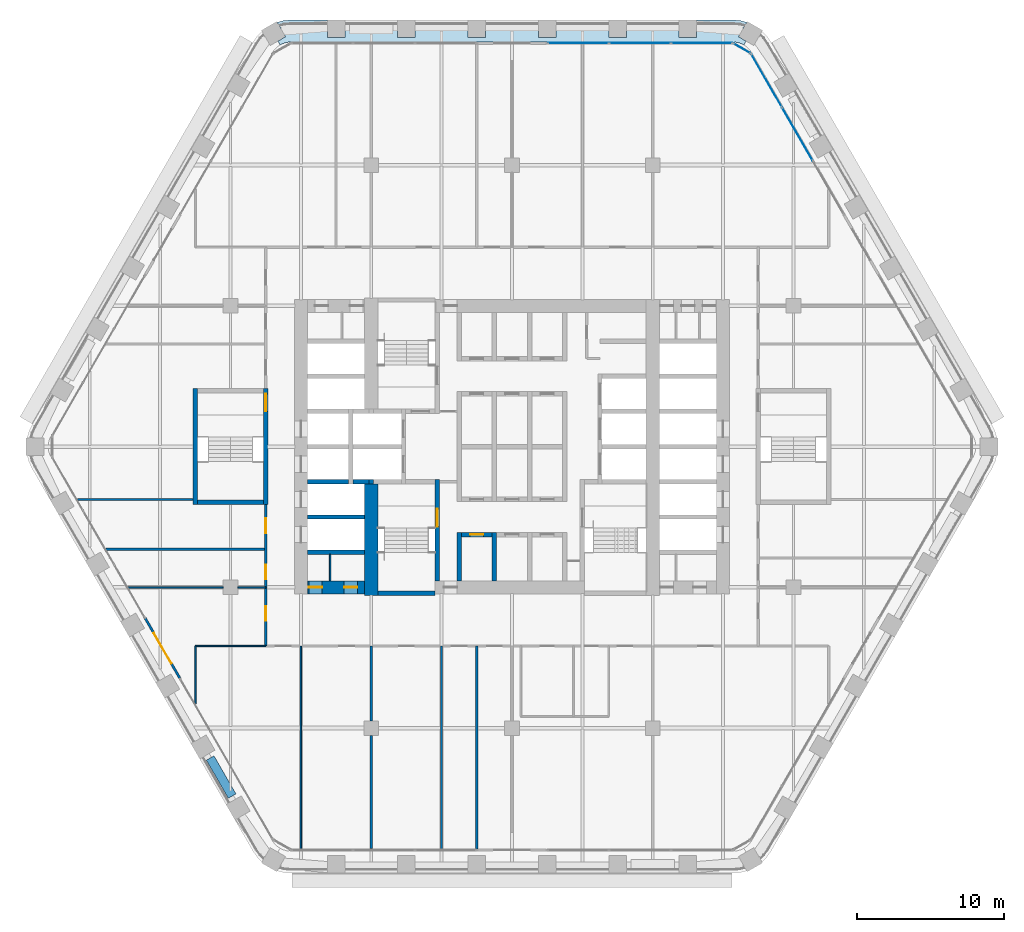
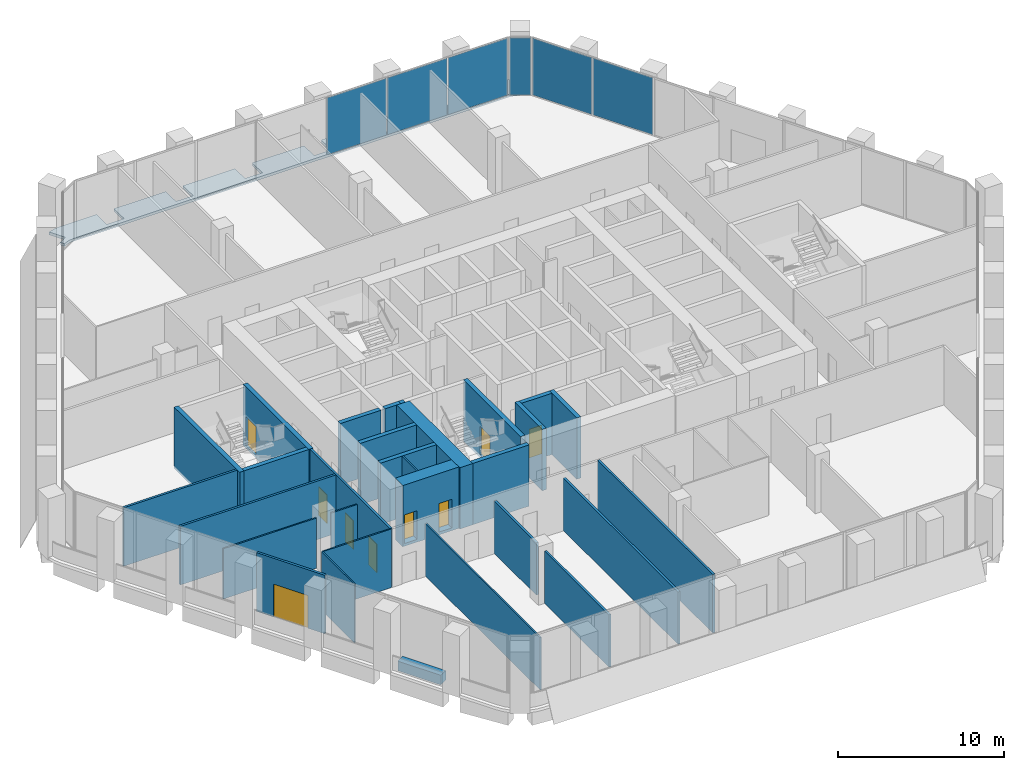
# One storey, part 12 of 23: 30 walls, 9 doors, 6 plates, 1 slab, 9 openings, 3 elements without a shape of their own.
"""IFC4 building model written with IfcOpenShell, lengths in metres."""

from ifc_helpers import new_model, si_unit, direction, frame, frame_2d, origin, origin_2d, place, context, subcontext, project, spatial, polyline, rectangle, outline, extrude, material, layer, layer_set, type_object, element, fill, aggregate, save


model = new_model("IFC4")

# Units and contexts
model_context = context("Model", 3, precision=1e-05, world=origin(), true_north=direction((0.0, 1.0)))
body_context = subcontext(model_context, "Body", "Model", "MODEL_VIEW")
ifc_project = project(units=[si_unit("LENGTHUNIT", "METRE"), si_unit("AREAUNIT", "SQUARE_METRE"), si_unit("VOLUMEUNIT", "CUBIC_METRE"), si_unit("PLANEANGLEUNIT", "RADIAN"), si_unit("MASSUNIT", "GRAM", prefix="KILO")], contexts=[model_context])

# Site, building, storey
site_placement = place(None, origin())
site = spatial("IfcSite", under=ifc_project, at=site_placement, CompositionType="ELEMENT")
building_placement = place(site_placement, origin())
building = spatial("IfcBuilding", under=site, at=building_placement, Name="Kolab Exchange Tower", CompositionType="ELEMENT")
storey_placement = place(building_placement, frame((0.0, 0.0, 100.39990234375)))
storey = spatial("IfcBuildingStorey", under=building, at=storey_placement, Name="L19", CompositionType="ELEMENT", Elevation=100.39990234375)

# Slab
ifc_material_1 = material(Name="Concrete C35/45", Category="concrete")
ifc_layer_1 = layer(ifc_material_1, 0.199951171875)
ifc_layer_set_1 = layer_set([ifc_layer_1], Name="Concrete C35/45")
slab_type = type_object("IfcSlabType", Name="LOGGIA SLAB 200", PredefinedType="FLOOR", material=ifc_layer_set_1)
slab_placement = place(storey_placement, frame((0.0, 0.0, -0.199951171875)))
element("IfcSlab", 1, at=slab_placement, inside=storey, type_object=slab_type, Name="slab/L19/loggia/0-0", PredefinedType="FLOOR", context=body_context, shape_type="SweptSolid", body=[
    extrude(outline(polyline([(15.81787109375, 27.3974609375), (15.968017578125, 27.6572265625), (15.4482421875, 27.957275390625), (16.014892578125, 28.938720703125), (15.5888671875, 29.052978515625), (15.06787109375, 29.098388671875), (12.60009765625, 29.098388671875), (12.60009765625, 27.8984375), (11.39990234375, 27.8984375), (11.39990234375, 29.098388671875), (7.800048828125, 29.098388671875), (7.800048828125, 27.8984375), (6.60009765625, 27.8984375), (6.60009765625, 29.098388671875), (3.0, 29.098388671875), (3.0, 27.8984375), (1.800048828125, 27.8984375), (1.800048828125, 29.098388671875), (-1.800048828125, 29.098388671875), (-1.800048828125, 27.8984375), (-3.0, 27.8984375), (-3.0, 29.098388671875), (-6.60009765625, 29.098388671875), (-6.60009765625, 27.8984375), (-7.800048828125, 27.8984375), (-7.800048828125, 29.098388671875), (-11.39990234375, 29.098388671875), (-11.39990234375, 27.8984375), (-12.60009765625, 27.8984375), (-12.60009765625, 29.098388671875), (-15.06787109375, 29.098388671875), (-15.5888671875, 29.052978515625), (-16.014892578125, 28.938720703125), (-15.4482421875, 27.957275390625), (-15.968017578125, 27.6572265625), (-15.81787109375, 27.3974609375), (-15.5810546875, 27.508056640625), (-15.328369140625, 27.57568359375), (-15.06787109375, 27.598388671875), (15.06787109375, 27.598388671875), (15.328369140625, 27.57568359375), (15.5810546875, 27.508056640625), (15.81787109375, 27.3974609375)])), origin(), (0.0, 0.0, 1.0), 0.199951171875),
])

# Curtain wall, plates
ifc_material_2 = material(Name="Aluminium EN AW-6063 T6", Category="aluminium")
curtain_wall_type = type_object("IfcCurtainWallType", Name="UNITISED LOWER MID ZONE CURTAIN WALL", PredefinedType="NOTDEFINED", material=ifc_material_2)
curtain_wall_1_placement = place(storey_placement, origin())
curtain_wall_1 = element("IfcCurtainWall", 2, at=curtain_wall_1_placement, inside=storey, type_object=curtain_wall_type, Name="cw/L19/F1-2", PredefinedType="NOTDEFINED")
ifc_material_3 = material(Name="Clear insulated glazing unit", Category="glass")
ifc_layer_2 = layer(ifc_material_3, 0.02587890625)
ifc_layer_set_2 = layer_set([ifc_layer_2], Name="Clear insulated glazing unit")
plate_type = type_object("IfcPlateType", Name="UNITISED LOWER MID ZONE GLASS PANEL 26", PredefinedType="CURTAIN_PANEL", material=ifc_layer_set_2)
plate_1_placement = place(storey_placement, frame((4.5263671875, 27.5185546875, 0.06005859375), z_axis=(0.0, 0.0, 1.0), x_axis=(1.0, 0.0, 0.0)))
plate_1 = element("IfcPlate", 3, at=plate_1_placement, type_object=plate_type, Name="CW2 panel 1.1", PredefinedType="CURTAIN_PANEL", context=body_context, shape_type="SweptSolid", body=[
    extrude(rectangle(XDim=4.132568359375, YDim=0.02587890625, at=origin_2d()), origin(), (0.0, 0.0, 1.0), 4.179931640625),
])
plate_2_placement = place(storey_placement, frame((8.73388671875, 27.5185546875, 0.06005859375), z_axis=(0.0, 0.0, 1.0), x_axis=(1.0, 0.0, 0.0)))
plate_2 = element("IfcPlate", 4, at=plate_2_placement, type_object=plate_type, Name="CW2 panel 2.1", PredefinedType="CURTAIN_PANEL", context=body_context, shape_type="SweptSolid", body=[
    extrude(rectangle(XDim=4.16259765625, YDim=0.02587890625, at=origin_2d()), origin(), (0.0, 0.0, 1.0), 4.179931640625),
])
plate_3_placement = place(storey_placement, frame((12.941650390625, 27.5185546875, 0.06005859375), z_axis=(0.0, 0.0, 1.0), x_axis=(1.0, 0.0, 0.0)))
plate_3 = element("IfcPlate", 5, at=plate_3_placement, type_object=plate_type, Name="CW2 panel 3.1", PredefinedType="CURTAIN_PANEL", context=body_context, shape_type="SweptSolid", body=[
    extrude(rectangle(XDim=4.132568359375, YDim=0.02587890625, at=origin_2d()), origin(), (0.0, 0.0, 1.0), 4.179931640625),
])
aggregate(curtain_wall_1, [plate_1, plate_2, plate_3])

curtain_wall_2_placement = place(storey_placement, origin())
curtain_wall_2 = element("IfcCurtainWall", 6, at=curtain_wall_2_placement, inside=storey, type_object=curtain_wall_type, Name="cw/L19/F2-1", PredefinedType="NOTDEFINED")
plate_4_placement = place(storey_placement, frame((17.36083984375, 24.967041015625, 0.06005859375), z_axis=(0.0, 0.0, 1.0), x_axis=(0.500000017564, -0.866025393644, 0.0)))
plate_4 = element("IfcPlate", 7, at=plate_4_placement, type_object=plate_type, Name="CW2 panel 1.1", PredefinedType="CURTAIN_PANEL", context=body_context, shape_type="SweptSolid", body=[
    extrude(rectangle(XDim=4.132568359375, YDim=0.02587890625, at=origin_2d()), origin(), (0.0, 0.0, 1.0), 4.179931640625),
])
plate_5_placement = place(storey_placement, frame((19.464599609375, 21.322998046875, 0.06005859375), z_axis=(0.0, 0.0, 1.0), x_axis=(0.500000017564, -0.866025393644, 0.0)))
plate_5 = element("IfcPlate", 8, at=plate_5_placement, type_object=plate_type, Name="CW2 panel 2.1", PredefinedType="CURTAIN_PANEL", context=body_context, shape_type="SweptSolid", body=[
    extrude(rectangle(XDim=4.16259765625, YDim=0.02587890625, at=origin_2d()), origin(), (0.0, 0.0, 1.0), 4.179931640625),
])
aggregate(curtain_wall_2, [plate_4, plate_5])

# Curtain wall, plate
curtain_wall_3_placement = place(storey_placement, origin())
curtain_wall_3 = element("IfcCurtainWall", 9, at=curtain_wall_3_placement, inside=storey, type_object=curtain_wall_type, Name="cw/L19/F1F2-corner", PredefinedType="NOTDEFINED")
plate_6_placement = place(storey_placement, frame((15.682861328125, 27.16357421875, 0.06005859375), z_axis=(0.0, 0.0, 1.0), x_axis=(0.866025390869, -0.50000002237, 0.0)))
plate_6 = element("IfcPlate", 10, at=plate_6_placement, type_object=plate_type, Name="CW2 panel 1.1", PredefinedType="CURTAIN_PANEL", context=body_context, shape_type="SweptSolid", body=[
    extrude(rectangle(XDim=1.300048828125, YDim=0.02587890625, at=origin_2d()), origin(), (0.0, 0.0, 1.0), 4.179931640625),
])
aggregate(curtain_wall_3, [plate_6])

# Wall, openings, doors
ifc_material_4 = material(Name="Concrete C70/85", Category="concrete")
ifc_layer_3 = layer(ifc_material_4, 0.89990234375)
ifc_layer_set_3 = layer_set([ifc_layer_3], Name="Concrete C70/85")
wall_type_1 = type_object("IfcWallType", Name="CORE WALL 900 C70/85", PredefinedType="SHEAR", material=ifc_layer_set_3)
wall_1_placement = place(storey_placement, frame((-13.949951171875, -9.60009765625, -0.199951171875), z_axis=(0.0, 0.0, 1.0), x_axis=(1.0, 0.0, 0.0)))
wall_1 = element("IfcWall", 11, at=wall_1_placement, inside=storey, type_object=wall_type_1, Name="wall/L19/core/002", PredefinedType="SHEAR", context=body_context, shape_type="SweptSolid", body=[
    extrude(rectangle(XDim=3.89990234375, YDim=0.89990234375, at=frame_2d((1.949951171875, 0.0))), origin(), (0.0, 0.0, 1.0), 4.5),
])
opening_1_placement = place(wall_1_placement, frame((0.10009765625, 0.0, 0.199951171875)))
opening_1 = element("IfcOpeningElement", 12, at=opening_1_placement, cuts=wall_1, Name="Opening D6-228", PredefinedType="OPENING", context=body_context, shape_type="SweptSolid", body=[
    extrude(rectangle(XDim=0.89990234375, YDim=2.10009765625, at=frame_2d((0.449951171875, 1.050048828125))), frame((0.0, 0.4599609375, 0.0), z_axis=(0.0, -1.0, 0.0), x_axis=(1.0, 0.0, 0.0)), (0.0, 0.0, 1.0), 0.919921875),
])
opening_2_placement = place(wall_1_placement, frame((2.5, 0.0, 0.199951171875)))
opening_2 = element("IfcOpeningElement", 13, at=opening_2_placement, cuts=wall_1, Name="Opening D6-229", PredefinedType="OPENING", context=body_context, shape_type="SweptSolid", body=[
    extrude(rectangle(XDim=0.89990234375, YDim=2.10009765625, at=frame_2d((0.449951171875, 1.050048828125))), frame((0.0, 0.4599609375, 0.0), z_axis=(0.0, -1.0, 0.0), x_axis=(1.0, 0.0, 0.0)), (0.0, 0.0, 1.0), 0.919921875),
])
ifc_material_5 = material(Name="Steel S235", Category="steel")
door_type_1 = type_object("IfcDoorType", Name="CORE DOOR 900 EI 120", OperationType="SINGLE_SWING_LEFT", PredefinedType="DOOR", material=ifc_material_5)
door_1_placement = place(opening_1_placement, origin())
door_1 = element("IfcDoor", 14, at=door_1_placement, inside=storey, type_object=door_type_1, Name="Service room door", OperationType="SINGLE_SWING_RIGHT", OverallHeight=2.10009765625, OverallWidth=0.89990234375, PredefinedType="DOOR", context=body_context, shape_type="SweptSolid", body=[
    extrude(rectangle(XDim=0.89990234375, YDim=2.10009765625, at=frame_2d((0.449951171875, 1.050048828125))), frame((0.0, 0.02490234375, 0.0), z_axis=(0.0, -1.0, 0.0), x_axis=(1.0, 0.0, 0.0)), (0.0, 0.0, 1.0), 0.050048828125),
])
fill(opening_1, door_1)
door_2_placement = place(opening_2_placement, origin())
door_2 = element("IfcDoor", 15, at=door_2_placement, inside=storey, type_object=door_type_1, Name="Service room door", OperationType="SINGLE_SWING_LEFT", OverallHeight=2.10009765625, OverallWidth=0.89990234375, PredefinedType="DOOR", context=body_context, shape_type="SweptSolid", body=[
    extrude(rectangle(XDim=0.89990234375, YDim=2.10009765625, at=frame_2d((0.449951171875, 1.050048828125))), frame((0.0, 0.02490234375, 0.0), z_axis=(0.0, -1.0, 0.0), x_axis=(1.0, 0.0, 0.0)), (0.0, 0.0, 1.0), 0.050048828125),
])
fill(opening_2, door_2)

# Wall
wall_2_placement = place(storey_placement, frame((-9.60009765625, -10.14990234375, -0.199951171875), z_axis=(0.0, 0.0, 1.0), x_axis=(0.0, 1.0, 0.0)))
element("IfcWall", 16, at=wall_2_placement, inside=storey, type_object=wall_type_1, Name="wall/L19/core/059", PredefinedType="SHEAR", context=body_context, shape_type="SweptSolid", body=[
    extrude(rectangle(XDim=7.599853515625, YDim=0.89990234375, at=frame_2d((3.7998046875, 0.0))), origin(), (0.0, 0.0, 1.0), 4.5),
])

# Wall, opening, door
ifc_layer_4 = layer(ifc_material_2, 0.159912109375)
ifc_layer_set_4 = layer_set([ifc_layer_4], Name="Aluminium EN AW-6063 T6")
wall_type_2 = type_object("IfcWallType", Name="DOOR SURROUND WALL 160 ALUMINIUM FRAMED", PredefinedType="PARTITIONING", material=ifc_layer_set_4)
wall_3_placement = place(storey_placement, frame((-22.646728515625, -15.811767578125, 0.0), z_axis=(0.0, 0.0, 1.0), x_axis=(-0.499978080042, 0.866038058908, 0.0)))
wall_3 = element("IfcWall", 17, at=wall_3_placement, inside=storey, type_object=wall_type_2, Name="Door surround wall", PredefinedType="PARTITIONING", context=body_context, shape_type="SweptSolid", body=[
    extrude(rectangle(XDim=4.739990234375, YDim=0.159912109375, at=frame_2d((2.3701171875, 0.0))), origin(), (0.0, 0.0, 1.0), 4.300048828125),
])
opening_3_placement = place(wall_3_placement, frame((1.169921875, 0.0, 0.0)))
opening_3 = element("IfcOpeningElement", 18, at=opening_3_placement, cuts=wall_3, Name="Opening GD1-038", PredefinedType="OPENING", context=body_context, shape_type="SweptSolid", body=[
    extrude(rectangle(XDim=2.39990234375, YDim=2.39990234375, at=frame_2d((1.199951171875, 1.199951171875))), frame((0.0, 0.08984375, 0.0), z_axis=(0.0, -1.0, 0.0), x_axis=(1.0, 0.0, 0.0)), (0.0, 0.0, 1.0), 0.179931640625),
])
door_type_2 = type_object("IfcDoorType", Name="LOGGIA SLIDING GLASS DOOR 2400 X 2400", OperationType="DOUBLE_DOOR_SINGLE_SWING", PredefinedType="DOOR", material=ifc_material_2)
door_3_placement = place(opening_3_placement, origin())
door_3 = element("IfcDoor", 19, at=door_3_placement, inside=storey, type_object=door_type_2, Name="Loggia door", OperationType="DOUBLE_DOOR_SLIDING", OverallHeight=2.39990234375, OverallWidth=2.39990234375, PredefinedType="DOOR", context=body_context, shape_type="SweptSolid", body=[
    extrude(rectangle(XDim=2.39990234375, YDim=2.39990234375, at=frame_2d((1.199951171875, 1.199951171875))), frame((0.0, 0.02490234375, 0.0), z_axis=(0.0, -1.0, 0.0), x_axis=(1.0, 0.0, 0.0)), (0.0, 0.0, 1.0), 0.050048828125),
])
fill(opening_3, door_3)

# Wall
ifc_material_6 = material(Name="Concrete C50/60", Category="concrete")
ifc_layer_5 = layer(ifc_material_6, 0.300048828125)
ifc_layer_set_5 = layer_set([ifc_layer_5], Name="Concrete C50/60")
wall_type_3 = type_object("IfcWallType", Name="LIFT SHAFT WALL 300 C50/60", PredefinedType="STANDARD", material=ifc_layer_set_5)
wall_4_placement = place(storey_placement, frame((-13.949951171875, -7.199951171875, -0.199951171875), z_axis=(0.0, 0.0, 1.0), x_axis=(1.0, 0.0, 0.0)))
element("IfcWall", 20, at=wall_4_placement, inside=storey, type_object=wall_type_3, Name="wall/L19/core/005", PredefinedType="STANDARD", context=body_context, shape_type="SweptSolid", body=[
    extrude(rectangle(XDim=3.89990234375, YDim=0.300048828125, at=frame_2d((1.949951171875, 0.0))), origin(), (0.0, 0.0, 1.0), 4.5),
])

# Wall, opening, door
wall_5_placement = place(storey_placement, frame((-3.449951171875, -6.0, -0.199951171875), z_axis=(0.0, 0.0, 1.0), x_axis=(1.0, 0.0, 0.0)))
wall_5 = element("IfcWall", 21, at=wall_5_placement, inside=storey, type_object=wall_type_3, Name="wall/L19/core/007", PredefinedType="STANDARD", context=body_context, shape_type="SweptSolid", body=[
    extrude(rectangle(XDim=2.099853515625, YDim=0.300048828125, at=frame_2d((1.0498046875, 0.0))), origin(), (0.0, 0.0, 1.0), 4.5),
])
opening_4_placement = place(wall_5_placement, frame((0.60009765625, 0.0, 0.199951171875)))
opening_4 = element("IfcOpeningElement", 22, at=opening_4_placement, cuts=wall_5, Name="Opening D6-202", PredefinedType="OPENING", context=body_context, shape_type="SweptSolid", body=[
    extrude(rectangle(XDim=0.89990234375, YDim=2.10009765625, at=frame_2d((0.449951171875, 1.050048828125))), frame((0.0, 0.16015625, 0.0), z_axis=(0.0, -1.0, 0.0), x_axis=(1.0, 0.0, 0.0)), (0.0, 0.0, 1.0), 0.320068359375),
])
door_4_placement = place(opening_4_placement, frame((0.89990234375, 0.0, 0.0), z_axis=(0.0, 0.0, 1.0), x_axis=(-1.0, 0.0, 0.0)))
door_4 = element("IfcDoor", 23, at=door_4_placement, inside=storey, type_object=door_type_1, Name="Service room door", OperationType="SINGLE_SWING_LEFT", OverallHeight=2.10009765625, OverallWidth=0.89990234375, PredefinedType="DOOR", context=body_context, shape_type="SweptSolid", body=[
    extrude(rectangle(XDim=0.89990234375, YDim=2.10009765625, at=frame_2d((0.449951171875, 1.050048828125))), frame((0.0, 0.02490234375, 0.0), z_axis=(0.0, -1.0, 0.0), x_axis=(1.0, 0.0, 0.0)), (0.0, 0.0, 1.0), 0.050048828125),
])
fill(opening_4, door_4)

# Walls
wall_6_placement = place(storey_placement, frame((-13.949951171875, -4.800048828125, -0.199951171875), z_axis=(0.0, 0.0, 1.0), x_axis=(1.0, 0.0, 0.0)))
element("IfcWall", 24, at=wall_6_placement, inside=storey, type_object=wall_type_3, Name="wall/L19/core/010", PredefinedType="STANDARD", context=body_context, shape_type="SweptSolid", body=[
    extrude(rectangle(XDim=3.89990234375, YDim=0.300048828125, at=frame_2d((1.949951171875, 0.0))), origin(), (0.0, 0.0, 1.0), 4.5),
])
wall_7_placement = place(storey_placement, frame((-13.949951171875, -2.39990234375, -0.199951171875), z_axis=(0.0, 0.0, 1.0), x_axis=(1.0, 0.0, 0.0)))
element("IfcWall", 25, at=wall_7_placement, inside=storey, type_object=wall_type_3, Name="wall/L19/core/017", PredefinedType="STANDARD", context=body_context, shape_type="SweptSolid", body=[
    extrude(rectangle(XDim=2.800048828125, YDim=0.300048828125, at=frame_2d((1.39990234375, 0.0))), origin(), (0.0, 0.0, 1.0), 4.5),
])
wall_8_placement = place(storey_placement, frame((-10.85009765625, -2.39990234375, -0.199951171875), z_axis=(0.0, 0.0, 1.0), x_axis=(1.0, 0.0, 0.0)))
element("IfcWall", 26, at=wall_8_placement, inside=storey, type_object=wall_type_3, Name="wall/L19/core/018", PredefinedType="STANDARD", context=body_context, shape_type="SweptSolid", body=[
    extrude(rectangle(XDim=1.10009765625, YDim=0.300048828125, at=frame_2d((0.550048828125, 0.0))), origin(), (0.0, 0.0, 1.0), 4.5),
])
for number, where, z_axis, x_axis, name in (
    (27, (-3.60009765625, -9.14990234375, -0.199951171875), (0.0, 0.0, 1.0), (0.0, 1.0, 0.0), "wall/L19/core/066"),
    (28, (-1.199951171875, -9.14990234375, -0.199951171875), (0.0, 0.0, 1.0), (0.0, 1.0, 0.0), "wall/L19/core/069"),
):
    element("IfcWall", number, at=place(storey_placement, frame(where, z_axis=z_axis, x_axis=x_axis)), inside=storey, type_object=wall_type_3, Name=name, PredefinedType="STANDARD", context=body_context, shape_type="SweptSolid", body=[
        extrude(rectangle(XDim=3.2998046875, YDim=0.300048828125, at=frame_2d((1.64990234375, 0.0))), origin(), (0.0, 0.0, 1.0), 4.5),
    ])
ifc_material_7 = material(Name="Gypsum board", Category="gypsum")
ifc_layer_6 = layer(ifc_material_7, 0.10009765625)
ifc_layer_set_6 = layer_set([ifc_layer_6], Name="Gypsum board")
wall_type_4 = type_object("IfcWallType", Name="PARTITION 100", PredefinedType="PARTITIONING", material=ifc_layer_set_6)
wall_9_placement = place(storey_placement, frame((-12.39990234375, -9.14990234375, 0.0), z_axis=(0.0, 0.0, 1.0), x_axis=(0.0, 1.0, 0.0)))
element("IfcWall", 29, at=wall_9_placement, inside=storey, type_object=wall_type_4, Name="Partition 029", PredefinedType="PARTITIONING", context=body_context, shape_type="SweptSolid", body=[
    extrude(rectangle(XDim=1.7998046875, YDim=0.10009765625, at=frame_2d((0.89990234375, 0.0))), origin(), (0.0, 0.0, 1.0), 4.300048828125),
])
wall_10_placement = place(storey_placement, frame((-14.39990234375, -27.428466796875, 0.0), z_axis=(0.0, 0.0, 1.0), x_axis=(0.0, 1.0, 0.0)))
element("IfcWall", 30, at=wall_10_placement, inside=storey, type_object=wall_type_4, Name="Partition 030", PredefinedType="PARTITIONING", context=body_context, shape_type="SweptSolid", body=[
    extrude(rectangle(XDim=13.828369140625, YDim=0.10009765625, at=frame_2d((6.9140625, 0.0))), origin(), (0.0, 0.0, 1.0), 3.843017578125),
])
wall_11_placement = place(storey_placement, frame((-21.60009765625, -17.544677734375, 0.0), z_axis=(0.0, 0.0, 1.0), x_axis=(0.0, 1.0, 0.0)))
element("IfcWall", 31, at=wall_11_placement, inside=storey, type_object=wall_type_4, Name="Partition 033", PredefinedType="PARTITIONING", context=body_context, shape_type="SweptSolid", body=[
    extrude(rectangle(XDim=3.944580078125, YDim=0.10009765625, at=frame_2d((1.97216796875, 0.0))), origin(), (0.0, 0.0, 1.0), 4.300048828125),
])
wall_12_placement = place(storey_placement, frame((-21.60009765625, -13.60009765625, 0.0), z_axis=(0.0, 0.0, 1.0), x_axis=(1.0, 0.0, 0.0)))
element("IfcWall", 32, at=wall_12_placement, inside=storey, type_object=wall_type_4, Name="Partition 036", PredefinedType="PARTITIONING", context=body_context, shape_type="SweptSolid", body=[
    extrude(rectangle(XDim=4.800048828125, YDim=0.10009765625, at=frame_2d((2.39990234375, 0.0))), origin(), (0.0, 0.0, 1.0), 4.300048828125),
])
wall_13_placement = place(storey_placement, frame((-26.186767578125, -9.60009765625, 0.0), z_axis=(0.0, 0.0, 1.0), x_axis=(1.0, 0.0, 0.0)))
element("IfcWall", 33, at=wall_13_placement, inside=storey, type_object=wall_type_4, Name="Partition 038", PredefinedType="PARTITIONING", context=body_context, shape_type="SweptSolid", body=[
    extrude(rectangle(XDim=6.48681640625, YDim=0.10009765625, at=frame_2d((3.243408203125, 0.0))), origin(), (0.0, 0.0, 1.0), 3.692138671875),
])
wall_14_placement = place(storey_placement, frame((-18.699951171875, -9.60009765625, 0.0), z_axis=(0.0, 0.0, 1.0), x_axis=(1.0, 0.0, 0.0)))
element("IfcWall", 34, at=wall_14_placement, inside=storey, type_object=wall_type_4, Name="Partition 039", PredefinedType="PARTITIONING", context=body_context, shape_type="SweptSolid", body=[
    extrude(rectangle(XDim=1.89990234375, YDim=0.10009765625, at=frame_2d((0.949951171875, 0.0))), origin(), (0.0, 0.0, 1.0), 3.692138671875),
])
ifc_layer_7 = layer(ifc_material_7, 0.14990234375)
ifc_layer_set_7 = layer_set([ifc_layer_7], Name="Gypsum board")
wall_type_5 = type_object("IfcWallType", Name="PARTITION 150 FIRE-RATED", PredefinedType="PARTITIONING", material=ifc_layer_set_7)
wall_15_placement = place(storey_placement, frame((-2.39990234375, -27.4384765625, 0.0), z_axis=(0.0, 0.0, 1.0), x_axis=(0.0, 1.0, 0.0)))
element("IfcWall", 35, at=wall_15_placement, inside=storey, type_object=wall_type_5, Name="Partition 020", PredefinedType="PARTITIONING", context=body_context, shape_type="SweptSolid", body=[
    extrude(rectangle(XDim=13.83837890625, YDim=0.14990234375, at=frame_2d((6.919189453125, 0.0))), origin(), (0.0, 0.0, 1.0), 4.300048828125),
])
wall_16_placement = place(storey_placement, frame((-4.800048828125, -27.428466796875, 0.0), z_axis=(0.0, 0.0, 1.0), x_axis=(0.0, 1.0, 0.0)))
element("IfcWall", 36, at=wall_16_placement, inside=storey, type_object=wall_type_5, Name="Partition 022", PredefinedType="PARTITIONING", context=body_context, shape_type="SweptSolid", body=[
    extrude(rectangle(XDim=13.828369140625, YDim=0.14990234375, at=frame_2d((6.9140625, 0.0))), origin(), (0.0, 0.0, 1.0), 3.843017578125),
])
wall_17_placement = place(storey_placement, frame((-9.60009765625, -27.428466796875, 0.0), z_axis=(0.0, 0.0, 1.0), x_axis=(0.0, 1.0, 0.0)))
element("IfcWall", 37, at=wall_17_placement, inside=storey, type_object=wall_type_5, Name="Partition 023", PredefinedType="PARTITIONING", context=body_context, shape_type="SweptSolid", body=[
    extrude(rectangle(XDim=7.728515625, YDim=0.14990234375, at=frame_2d((3.8642578125, 0.0))), origin(), (0.0, 0.0, 1.0), 3.843017578125),
])
wall_18_placement = place(storey_placement, frame((-9.60009765625, -18.699951171875, 0.0), z_axis=(0.0, 0.0, 1.0), x_axis=(0.0, 1.0, 0.0)))
element("IfcWall", 38, at=wall_18_placement, inside=storey, type_object=wall_type_5, Name="Partition 024", PredefinedType="PARTITIONING", context=body_context, shape_type="SweptSolid", body=[
    extrude(rectangle(XDim=5.099853515625, YDim=0.14990234375, at=frame_2d((2.5498046875, 0.0))), origin(), (0.0, 0.0, 1.0), 3.843017578125),
])

# Wall, openings, doors
wall_19_placement = place(storey_placement, frame((-16.800048828125, -13.60009765625, 0.0), z_axis=(0.0, 0.0, 1.0), x_axis=(0.0, 1.0, 0.0)))
wall_19 = element("IfcWall", 39, at=wall_19_placement, inside=storey, type_object=wall_type_5, Name="Partition 031", PredefinedType="PARTITIONING", context=body_context, shape_type="SweptSolid", body=[
    extrude(rectangle(XDim=9.650146484375, YDim=0.14990234375, at=frame_2d((4.8251953125, 0.0))), origin(), (0.0, 0.0, 1.0), 4.300048828125),
])
opening_5_placement = place(wall_19_placement, frame((1.72509765625, 0.0, 0.0)))
opening_5 = element("IfcOpeningElement", 40, at=opening_5_placement, cuts=wall_19, Name="Opening D1-276", PredefinedType="OPENING", context=body_context, shape_type="SweptSolid", body=[
    extrude(rectangle(XDim=1.0, YDim=2.10009765625, at=frame_2d((0.5, 1.050048828125))), frame((0.0, 0.0849609375, 0.0), z_axis=(0.0, -1.0, 0.0), x_axis=(1.0, 0.0, 0.0)), (0.0, 0.0, 1.0), 0.169921875),
])
opening_6_placement = place(wall_19_placement, frame((4.554931640625, 0.0, 0.0)))
opening_6 = element("IfcOpeningElement", 41, at=opening_6_placement, cuts=wall_19, Name="Opening D1-277", PredefinedType="OPENING", context=body_context, shape_type="SweptSolid", body=[
    extrude(rectangle(XDim=1.0, YDim=2.10009765625, at=frame_2d((0.5, 1.050048828125))), frame((0.0, 0.0849609375, 0.0), z_axis=(0.0, -1.0, 0.0), x_axis=(1.0, 0.0, 0.0)), (0.0, 0.0, 1.0), 0.169921875),
])
opening_7_placement = place(wall_19_placement, frame((7.699951171875, 0.0, 0.0)))
opening_7 = element("IfcOpeningElement", 42, at=opening_7_placement, cuts=wall_19, Name="Opening D1-278", PredefinedType="OPENING", context=body_context, shape_type="SweptSolid", body=[
    extrude(rectangle(XDim=1.0, YDim=2.10009765625, at=frame_2d((0.5, 1.050048828125))), frame((0.0, 0.0849609375, 0.0), z_axis=(0.0, -1.0, 0.0), x_axis=(1.0, 0.0, 0.0)), (0.0, 0.0, 1.0), 0.169921875),
])
door_type_3 = type_object("IfcDoorType", Name="FLUSH DOOR 1000 FD60", OperationType="SINGLE_SWING_LEFT", PredefinedType="DOOR", material=ifc_material_5)
door_5_placement = place(opening_5_placement, origin())
door_5 = element("IfcDoor", 43, at=door_5_placement, inside=storey, type_object=door_type_3, Name="Door L19-070", OperationType="SINGLE_SWING_RIGHT", OverallHeight=2.10009765625, OverallWidth=1.0, PredefinedType="DOOR", context=body_context, shape_type="SweptSolid", body=[
    extrude(rectangle(XDim=1.0, YDim=2.10009765625, at=frame_2d((0.5, 1.050048828125))), frame((0.0, 0.02490234375, 0.0), z_axis=(0.0, -1.0, 0.0), x_axis=(1.0, 0.0, 0.0)), (0.0, 0.0, 1.0), 0.050048828125),
])
fill(opening_5, door_5)
door_6_placement = place(opening_6_placement, origin())
door_6 = element("IfcDoor", 44, at=door_6_placement, inside=storey, type_object=door_type_3, Name="Door L19-071", OperationType="SINGLE_SWING_LEFT", OverallHeight=2.10009765625, OverallWidth=1.0, PredefinedType="DOOR", context=body_context, shape_type="SweptSolid", body=[
    extrude(rectangle(XDim=1.0, YDim=2.10009765625, at=frame_2d((0.5, 1.050048828125))), frame((0.0, 0.02490234375, 0.0), z_axis=(0.0, -1.0, 0.0), x_axis=(1.0, 0.0, 0.0)), (0.0, 0.0, 1.0), 0.050048828125),
])
fill(opening_6, door_6)
door_7_placement = place(opening_7_placement, origin())
door_7 = element("IfcDoor", 45, at=door_7_placement, inside=storey, type_object=door_type_3, Name="Door L19-072", OperationType="SINGLE_SWING_LEFT", OverallHeight=2.10009765625, OverallWidth=1.0, PredefinedType="DOOR", context=body_context, shape_type="SweptSolid", body=[
    extrude(rectangle(XDim=1.0, YDim=2.10009765625, at=frame_2d((0.5, 1.050048828125))), frame((0.0, 0.02490234375, 0.0), z_axis=(0.0, -1.0, 0.0), x_axis=(1.0, 0.0, 0.0)), (0.0, 0.0, 1.0), 0.050048828125),
])
fill(opening_7, door_7)

# Walls
wall_20_placement = place(storey_placement, frame((-27.68798828125, -7.0, 0.0), z_axis=(0.0, 0.0, 1.0), x_axis=(1.0, 0.0, 0.0)))
element("IfcWall", 46, at=wall_20_placement, inside=storey, type_object=wall_type_5, Name="Partition 044", PredefinedType="PARTITIONING", context=body_context, shape_type="SweptSolid", body=[
    extrude(rectangle(XDim=10.887939453125, YDim=0.14990234375, at=frame_2d((5.44384765625, 0.0))), origin(), (0.0, 0.0, 1.0), 4.300048828125),
])
wall_21_placement = place(storey_placement, frame((-29.65087890625, -3.60009765625, 0.0), z_axis=(0.0, 0.0, 1.0), x_axis=(1.0, 0.0, 0.0)))
element("IfcWall", 47, at=wall_21_placement, inside=storey, type_object=wall_type_5, Name="Partition 045", PredefinedType="PARTITIONING", context=body_context, shape_type="SweptSolid", body=[
    extrude(rectangle(XDim=7.90087890625, YDim=0.14990234375, at=frame_2d((3.950439453125, 0.0))), origin(), (0.0, 0.0, 1.0), 4.300048828125),
])
ifc_material_8 = material(Name="Granite facing", Category="masonry")
ifc_layer_8 = layer(ifc_material_8, 0.0400390625)
ifc_material_9 = material(Name="Concrete C40/50 precast", Category="concrete")
ifc_layer_9 = layer(ifc_material_9, 0.56005859375)
ifc_layer_set_8 = layer_set([ifc_layer_8, ifc_layer_9], Name="Concrete C40/50 precast")
wall_type_6 = type_object("IfcWallType", Name="PLANTER BOX 600 X 700 SOIL DEPTH 550", PredefinedType="USERDEFINED", material=ifc_layer_set_8)
wall_22_placement = place(storey_placement, frame((-19.087158203125, -23.837158203125, 0.0), z_axis=(0.0, 0.0, 1.0), x_axis=(-0.499990139034, 0.866031096941, 0.0)))
element("IfcWall", 48, at=wall_22_placement, inside=storey, type_object=wall_type_6, Name="Planter", ObjectType="PLANTER", PredefinedType="USERDEFINED", context=body_context, shape_type="SweptSolid", body=[
    extrude(rectangle(XDim=3.0, YDim=0.60009765625, at=frame_2d((1.5, 0.0))), origin(), (0.0, 0.0, 1.0), 0.7001953125),
])
ifc_layer_10 = layer(ifc_material_6, 0.300048828125)
ifc_layer_set_9 = layer_set([ifc_layer_10], Name="Concrete C50/60")
wall_type_7 = type_object("IfcWallType", Name="STAIR ENCLOSURE WALL 300 C50/60", PredefinedType="STANDARD", material=ifc_layer_set_9)
wall_23_placement = place(storey_placement, frame((-9.14990234375, -10.0, -0.199951171875), z_axis=(0.0, 0.0, 1.0), x_axis=(1.0, 0.0, 0.0)))
element("IfcWall", 49, at=wall_23_placement, inside=storey, type_object=wall_type_7, Name="wall/L19/core/000", PredefinedType="STANDARD", context=body_context, shape_type="SweptSolid", body=[
    extrude(rectangle(XDim=3.89990234375, YDim=0.300048828125, at=frame_2d((1.949951171875, 0.0))), origin(), (0.0, 0.0, 1.0), 4.5),
])
wall_24_placement = place(storey_placement, frame((-21.449951171875, -3.800048828125, -0.199951171875), z_axis=(0.0, 0.0, 1.0), x_axis=(1.0, 0.0, 0.0)))
element("IfcWall", 50, at=wall_24_placement, inside=storey, type_object=wall_type_7, Name="wall/L19/core/012", PredefinedType="STANDARD", context=body_context, shape_type="SweptSolid", body=[
    extrude(rectangle(XDim=4.5, YDim=0.300048828125, at=frame_2d((2.25, 0.0))), origin(), (0.0, 0.0, 1.0), 4.5),
])
wall_25_placement = place(storey_placement, frame((-21.60009765625, -3.949951171875, -0.199951171875), z_axis=(0.0, 0.0, 1.0), x_axis=(0.0, 1.0, 0.0)))
element("IfcWall", 51, at=wall_25_placement, inside=storey, type_object=wall_type_7, Name="wall/L19/core/055", PredefinedType="STANDARD", context=body_context, shape_type="SweptSolid", body=[
    extrude(rectangle(XDim=7.89990234375, YDim=0.300048828125, at=frame_2d((3.949951171875, 0.0))), origin(), (0.0, 0.0, 1.0), 4.5),
])

# Wall, opening, door
wall_26_placement = place(storey_placement, frame((-16.800048828125, -3.949951171875, -0.199951171875), z_axis=(0.0, 0.0, 1.0), x_axis=(0.0, 1.0, 0.0)))
wall_26 = element("IfcWall", 52, at=wall_26_placement, inside=storey, type_object=wall_type_7, Name="wall/L19/core/056", PredefinedType="STANDARD", context=body_context, shape_type="SweptSolid", body=[
    extrude(rectangle(XDim=7.89990234375, YDim=0.300048828125, at=frame_2d((3.949951171875, 0.0))), origin(), (0.0, 0.0, 1.0), 4.5),
])
opening_8_placement = place(wall_26_placement, frame((6.35009765625, 0.0, 0.199951171875)))
opening_8 = element("IfcOpeningElement", 53, at=opening_8_placement, cuts=wall_26, Name="Opening D4-048", PredefinedType="OPENING", context=body_context, shape_type="SweptSolid", body=[
    extrude(rectangle(XDim=1.199951171875, YDim=2.10009765625, at=frame_2d((0.60009765625, 1.050048828125))), frame((0.0, 0.16015625, 0.0), z_axis=(0.0, -1.0, 0.0), x_axis=(1.0, 0.0, 0.0)), (0.0, 0.0, 1.0), 0.320068359375),
])
door_type_4 = type_object("IfcDoorType", Name="STAIR DOOR 1200 EI 120", OperationType="SINGLE_SWING_LEFT", PredefinedType="DOOR", material=ifc_material_5)
door_8_placement = place(opening_8_placement, origin())
door_8 = element("IfcDoor", 54, at=door_8_placement, inside=storey, type_object=door_type_4, Name="Stair 5 door", OperationType="SINGLE_SWING_RIGHT", OverallHeight=2.10009765625, OverallWidth=1.199951171875, PredefinedType="DOOR", context=body_context, shape_type="SweptSolid", body=[
    extrude(rectangle(XDim=1.199951171875, YDim=2.10009765625, at=frame_2d((0.60009765625, 1.050048828125))), frame((0.0, 0.02490234375, 0.0), z_axis=(0.0, -1.0, 0.0), x_axis=(1.0, 0.0, 0.0)), (0.0, 0.0, 1.0), 0.050048828125),
])
fill(opening_8, door_8)

# Wall
wall_27_placement = place(storey_placement, frame((-9.60009765625, -2.550048828125, -0.199951171875), z_axis=(0.0, 0.0, 1.0), x_axis=(0.0, 1.0, 0.0)))
element("IfcWall", 55, at=wall_27_placement, inside=storey, type_object=wall_type_7, Name="wall/L19/core/060", PredefinedType="STANDARD", context=body_context, shape_type="SweptSolid", body=[
    extrude(rectangle(XDim=0.300048828125, YDim=0.300048828125, at=frame_2d((0.14990234375, 0.0))), origin(), (0.0, 0.0, 1.0), 4.5),
])

# Wall, opening, door
wall_28_placement = place(storey_placement, frame((-5.10009765625, -9.14990234375, -0.199951171875), z_axis=(0.0, 0.0, 1.0), x_axis=(0.0, 1.0, 0.0)))
wall_28 = element("IfcWall", 56, at=wall_28_placement, inside=storey, type_object=wall_type_7, Name="wall/L19/core/064", PredefinedType="STANDARD", context=body_context, shape_type="SweptSolid", body=[
    extrude(rectangle(XDim=6.89990234375, YDim=0.300048828125, at=frame_2d((3.449951171875, 0.0))), origin(), (0.0, 0.0, 1.0), 4.5),
])
opening_9_placement = place(wall_28_placement, frame((3.699951171875, 0.0, 0.199951171875)))
opening_9 = element("IfcOpeningElement", 57, at=opening_9_placement, cuts=wall_28, Name="Opening D4-046", PredefinedType="OPENING", context=body_context, shape_type="SweptSolid", body=[
    extrude(rectangle(XDim=1.199951171875, YDim=2.10009765625, at=frame_2d((0.60009765625, 1.050048828125))), frame((0.0, 0.16015625, 0.0), z_axis=(0.0, -1.0, 0.0), x_axis=(1.0, 0.0, 0.0)), (0.0, 0.0, 1.0), 0.320068359375),
])
door_9_placement = place(opening_9_placement, origin())
door_9 = element("IfcDoor", 58, at=door_9_placement, inside=storey, type_object=door_type_4, Name="Stair 3 door", OperationType="SINGLE_SWING_RIGHT", OverallHeight=2.10009765625, OverallWidth=1.199951171875, PredefinedType="DOOR", context=body_context, shape_type="SweptSolid", body=[
    extrude(rectangle(XDim=1.199951171875, YDim=2.10009765625, at=frame_2d((0.60009765625, 1.050048828125))), frame((0.0, 0.02490234375, 0.0), z_axis=(0.0, -1.0, 0.0), x_axis=(1.0, 0.0, 0.0)), (0.0, 0.0, 1.0), 0.050048828125),
])
fill(opening_9, door_9)

save(model, "model.ifc")
